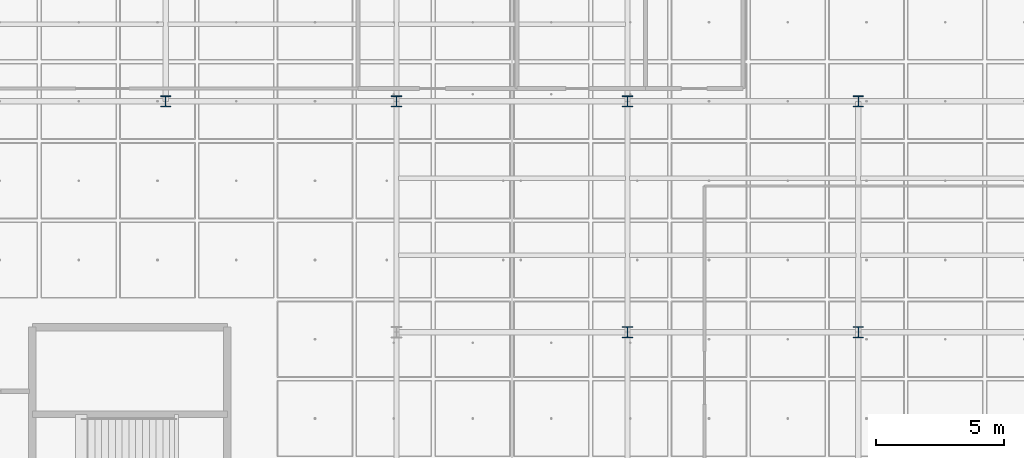
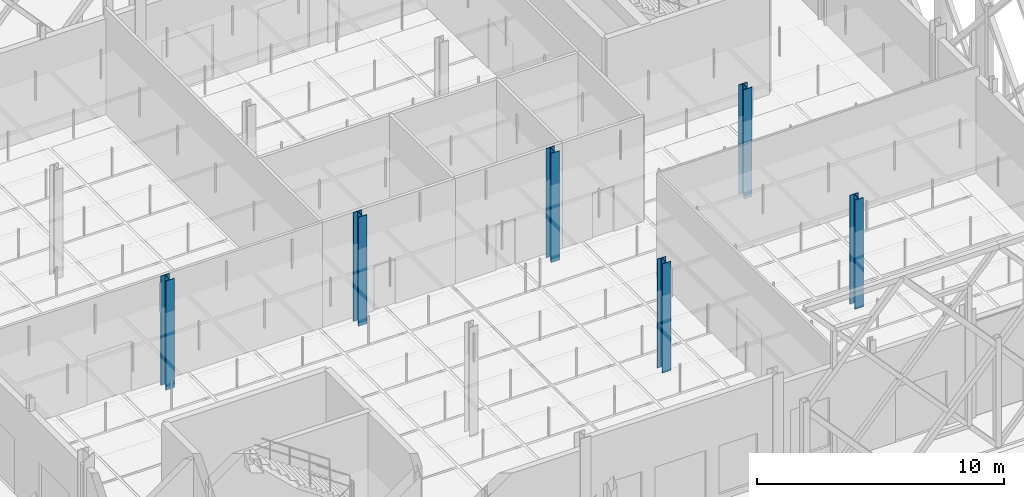
# One storey, part 10 of 180: 6 columns.
"""IFC4 building model written with IfcOpenShell, lengths in metres."""

from ifc_helpers import new_model, si_unit, direction, frame, origin, origin_2d, place, context, subcontext, project, spatial, i_section, extrude, material, material_profile, profile_set, type_object, element, save


model = new_model("IFC4")

# Units and contexts
model_context = context("Model", 3, precision=1e-05, world=origin(), true_north=direction((0.0, 1.0)))
body_context = subcontext(model_context, "Body", "Model", "MODEL_VIEW")
ifc_project = project(units=[si_unit("LENGTHUNIT", "METRE"), si_unit("AREAUNIT", "SQUARE_METRE"), si_unit("VOLUMEUNIT", "CUBIC_METRE"), si_unit("PLANEANGLEUNIT", "RADIAN"), si_unit("MASSUNIT", "GRAM", prefix="KILO"), si_unit("THERMODYNAMICTEMPERATUREUNIT", "KELVIN"), si_unit("POWERUNIT", "WATT")], contexts=[model_context])

# Site, building, storey
site_placement = place(None, origin())
site = spatial("IfcSite", under=ifc_project, at=site_placement, CompositionType="ELEMENT")
building_placement = place(site_placement, origin())
building = spatial("IfcBuilding", under=site, at=building_placement, Name="Tallowbark Science Centre", CompositionType="ELEMENT")
storey_placement = place(building_placement, origin())
storey = spatial("IfcBuildingStorey", under=building, at=storey_placement, Name="L00", CompositionType="ELEMENT", Elevation=0.0)

# Columns
ifc_material = material(Name="Structural Steel Grade 300PLUS (300 MPa)", Category="steel")
ifc_material_profile = material_profile(ifc_material, i_section(OverallWidth=0.39990234375, OverallDepth=0.427978515625, WebThickness=0.02001953125, FlangeThickness=0.028076171875, FilletRadius=0.01611328125, at=origin_2d()), Name="400WC270")
ifc_profile_set = profile_set([ifc_material_profile], Name="Structural Steel Grade 300PLUS (300 MPa)")
column_type = type_object("IfcColumnType", Name="COL-WC400", PredefinedType="COLUMN", material=ifc_profile_set)
for number, where, z_axis, x_axis, name in (
    (1, (67.5, 22.5, 0.0), (0.0, 0.0, 1.0), (1.0, 0.0, 0.0), "Column CUB-M1_2 L00"),
    (2, (76.5, 22.5, 0.0), (0.0, 0.0, 1.0), (1.0, 0.0, 0.0), "Column CUB-M2_2 L00"),
    (3, (85.5, 13.5, 0.0), (0.0, 0.0, 1.0), (1.0, 0.0, 0.0), "Column CUB-M3_1 L00"),
    (4, (85.5, 22.5, 0.0), (0.0, 0.0, 1.0), (1.0, 0.0, 0.0), "Column CUB-M3_2 L00"),
    (5, (94.5, 13.5, 0.0), (0.0, 0.0, 1.0), (1.0, 0.0, 0.0), "Column CUB-M4_1 L00"),
    (6, (94.5, 22.5, 0.0), (0.0, 0.0, 1.0), (1.0, 0.0, 0.0), "Column CUB-M4_2 L00"),
):
    element("IfcColumn", number, at=place(storey_placement, frame(where, z_axis=z_axis, x_axis=x_axis)), inside=storey, type_object=column_type, Name=name, PredefinedType="COLUMN", context=body_context, shape_type="SweptSolid", body=[
        extrude(i_section(OverallWidth=0.39990234375, OverallDepth=0.427978515625, WebThickness=0.02001953125, FlangeThickness=0.028076171875, FilletRadius=0.01611328125, at=origin_2d()), origin(), (0.0, 0.0, 1.0), 5.39990234375),
    ])

save(model, "model.ifc")
